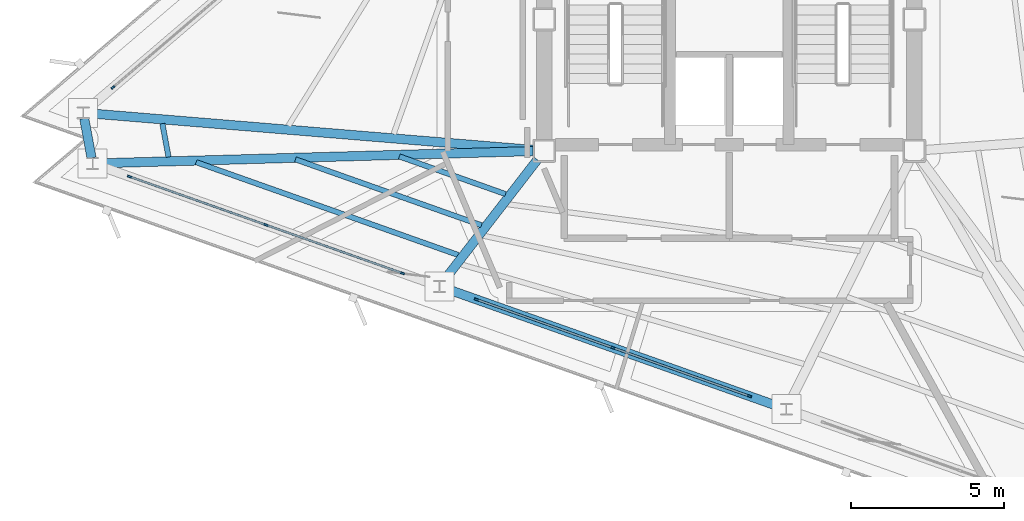
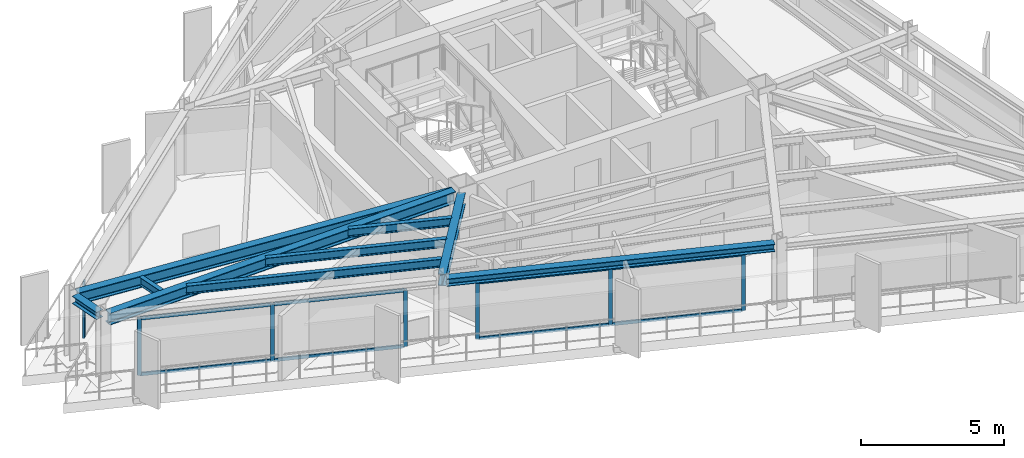
# One storey, part 2 of 14: 15 members, 9 beams, 3 elements without a shape of their own.
"""IFC4 building model written with IfcOpenShell, lengths in metres."""

from ifc_helpers import new_model, si_unit, direction, frame, origin, origin_2d, place, context, subcontext, project, spatial, rectangle, i_section, extrude, material, layer, layer_set, material_profile, profile_set, type_object, element, aggregate, save


model = new_model("IFC4")

# Units and contexts
model_context = context("Model", 3, precision=1e-05, world=origin(), true_north=direction((0.0, 1.0)))
body_context = subcontext(model_context, "Body", "Model", "MODEL_VIEW")
ifc_project = project(units=[si_unit("LENGTHUNIT", "METRE"), si_unit("AREAUNIT", "SQUARE_METRE"), si_unit("VOLUMEUNIT", "CUBIC_METRE"), si_unit("PLANEANGLEUNIT", "RADIAN"), si_unit("MASSUNIT", "GRAM", prefix="KILO")], contexts=[model_context])

# Site, building, storey
site_placement = place(None, origin())
site = spatial("IfcSite", under=ifc_project, at=site_placement, CompositionType="ELEMENT")
building_placement = place(site_placement, origin())
building = spatial("IfcBuilding", under=site, at=building_placement, Name="Rocaltana Carrier Exchange", CompositionType="ELEMENT")
storey_placement = place(building_placement, frame((0.0, 0.0, 175.360107421875)))
storey = spatial("IfcBuildingStorey", under=building, at=storey_placement, Name="L55", CompositionType="ELEMENT", Elevation=175.360107421875)

# Curtain wall, member
ifc_material_1 = material(Name="Aluminium 6063-T6", Category="aluminium")
ifc_layer = layer(ifc_material_1, 0.135009765625)
ifc_layer_set = layer_set([ifc_layer], Name="Aluminium 6063-T6")
curtain_wall_type = type_object("IfcCurtainWallType", Name="Upper-Mid Acoustic Curtain Wall CW-04", PredefinedType="NOTDEFINED", material=ifc_layer_set)
curtain_wall_1_placement = place(storey_placement, origin())
curtain_wall_1 = element("IfcCurtainWall", 1, at=curtain_wall_1_placement, inside=storey, type_object=curtain_wall_type, Name="L55 CW-04 Run CW-L55-F2S3", PredefinedType="NOTDEFINED")
ifc_material_2 = material(Name="Aluminium 6063-T6", Category="aluminium")
ifc_material_profile_1 = material_profile(ifc_material_2, rectangle(XDim=0.06494140625, YDim=0.135009765625, at=origin_2d()), Name="AL-65X135")
ifc_profile_set_1 = profile_set([ifc_material_profile_1], Name="Aluminium 6063-T6")
member_type_1 = type_object("IfcMemberType", Name="CW-04 Mullion AL-65X135", PredefinedType="MULLION", material=ifc_profile_set_1)
member_1_placement = place(storey_placement, frame((-20.14990234375, -2.2255859375, 0.0), z_axis=(0.0, 0.0, 1.0), x_axis=(0.649447944918, -0.760406053922, 0.0)))
member_1 = element("IfcMember", 2, at=member_1_placement, type_object=member_type_1, Name="CW-04 mullion 3", PredefinedType="MULLION", context=body_context, shape_type="SweptSolid", body=[
    extrude(rectangle(XDim=0.06494140625, YDim=0.135009765625, at=origin_2d()), origin(), (0.0, 0.0, 1.0), 2.447998046875),
])
aggregate(curtain_wall_1, [member_1])

# Curtain wall, members
curtain_wall_2_placement = place(storey_placement, origin())
curtain_wall_2 = element("IfcCurtainWall", 3, at=curtain_wall_2_placement, inside=storey, type_object=curtain_wall_type, Name="L55 CW-04 Run CW-L55-F3S1", PredefinedType="NOTDEFINED")
member_2_placement = place(storey_placement, frame((-19.609130859375, -5.143310546875, 0.0), z_axis=(0.0, 0.0, 1.0), x_axis=(0.333795491383, 0.942645516582, 0.0)))
member_2 = element("IfcMember", 4, at=member_2_placement, type_object=member_type_1, Name="CW-04 mullion 1", PredefinedType="MULLION", context=body_context, shape_type="SweptSolid", body=[
    extrude(rectangle(XDim=0.06494140625, YDim=0.135009765625, at=origin_2d()), origin(), (0.0, 0.0, 1.0), 2.447998046875),
])
member_3_placement = place(storey_placement, frame((-15.146484375, -6.7236328125, 0.0), z_axis=(0.0, 0.0, 1.0), x_axis=(0.333795491383, 0.942645516582, 0.0)))
member_3 = element("IfcMember", 5, at=member_3_placement, type_object=member_type_1, Name="CW-04 mullion 2", PredefinedType="MULLION", context=body_context, shape_type="SweptSolid", body=[
    extrude(rectangle(XDim=0.06494140625, YDim=0.135009765625, at=origin_2d()), origin(), (0.0, 0.0, 1.0), 2.447998046875),
])
member_4_placement = place(storey_placement, frame((-10.683837890625, -8.303955078125, 0.0), z_axis=(0.0, 0.0, 1.0), x_axis=(0.333795491383, 0.942645516582, 0.0)))
member_4 = element("IfcMember", 6, at=member_4_placement, type_object=member_type_1, Name="CW-04 mullion 3", PredefinedType="MULLION", context=body_context, shape_type="SweptSolid", body=[
    extrude(rectangle(XDim=0.06494140625, YDim=0.135009765625, at=origin_2d()), origin(), (0.0, 0.0, 1.0), 2.447998046875),
])

curtain_wall_3_placement = place(storey_placement, origin())
curtain_wall_3 = element("IfcCurtainWall", 7, at=curtain_wall_3_placement, inside=storey, type_object=curtain_wall_type, Name="L55 CW-04 Run CW-L55-F3S2", PredefinedType="NOTDEFINED")
member_5_placement = place(storey_placement, frame((-8.265869140625, -9.16015625, 0.0), z_axis=(0.0, 0.0, 1.0), x_axis=(0.333798791936, 0.942644347833, 0.0)))
member_5 = element("IfcMember", 8, at=member_5_placement, type_object=member_type_1, Name="CW-04 mullion 1", PredefinedType="MULLION", context=body_context, shape_type="SweptSolid", body=[
    extrude(rectangle(XDim=0.06494140625, YDim=0.135009765625, at=origin_2d()), origin(), (0.0, 0.0, 1.0), 2.447998046875),
])
member_6_placement = place(storey_placement, frame((-3.803466796875, -10.740478515625, 0.0), z_axis=(0.0, 0.0, 1.0), x_axis=(0.333798791936, 0.942644347833, 0.0)))
member_6 = element("IfcMember", 9, at=member_6_placement, type_object=member_type_1, Name="CW-04 mullion 2", PredefinedType="MULLION", context=body_context, shape_type="SweptSolid", body=[
    extrude(rectangle(XDim=0.06494140625, YDim=0.135009765625, at=origin_2d()), origin(), (0.0, 0.0, 1.0), 2.447998046875),
])
member_7_placement = place(storey_placement, frame((0.6591796875, -12.320556640625, 0.0), z_axis=(0.0, 0.0, 1.0), x_axis=(0.333798791936, 0.942644347833, 0.0)))
member_7 = element("IfcMember", 10, at=member_7_placement, type_object=member_type_1, Name="CW-04 mullion 3", PredefinedType="MULLION", context=body_context, shape_type="SweptSolid", body=[
    extrude(rectangle(XDim=0.06494140625, YDim=0.135009765625, at=origin_2d()), origin(), (0.0, 0.0, 1.0), 2.447998046875),
])

# Member
ifc_material_3 = material(Name="Aluminium 6063-T6", Category="aluminium")
ifc_material_profile_2 = material_profile(ifc_material_3, rectangle(XDim=0.06494140625, YDim=0.135009765625, at=origin_2d()), Name="AL-65X135")
ifc_profile_set_2 = profile_set([ifc_material_profile_2], Name="Aluminium 6063-T6")
member_type_2 = type_object("IfcMemberType", Name="CW-04 Transom AL-65X135", PredefinedType="USERDEFINED", material=ifc_profile_set_2)
member_8_placement = place(storey_placement, frame((-19.57861328125, -5.154296875, 0.032470703125), z_axis=(0.942658759466, -0.333758090841, 0.0), x_axis=(0.333758090841, 0.942658759466, 0.0)))
member_8 = element("IfcMember", 11, at=member_8_placement, type_object=member_type_2, Name="CW-04 transom 1.1", ObjectType="TRANSOM", PredefinedType="USERDEFINED", context=body_context, shape_type="SweptSolid", body=[
    extrude(rectangle(XDim=0.06494140625, YDim=0.135009765625, at=origin_2d()), origin(), (0.0, 0.0, 1.0), 4.669189453125),
])

member_9_placement = place(storey_placement, frame((-19.57861328125, -5.154296875, 2.415283203125), z_axis=(0.942658759466, -0.333758090841, 0.0), x_axis=(0.333758090841, 0.942658759466, 0.0)))
member_9 = element("IfcMember", 12, at=member_9_placement, type_object=member_type_2, Name="CW-04 transom 1.2", ObjectType="TRANSOM", PredefinedType="USERDEFINED", context=body_context, shape_type="SweptSolid", body=[
    extrude(rectangle(XDim=0.06494140625, YDim=0.135009765625, at=origin_2d()), origin(), (0.0, 0.0, 1.0), 4.669189453125),
])

member_10_placement = place(storey_placement, frame((-15.115966796875, -6.734375, 0.032470703125), z_axis=(0.942648133321, -0.333788101565, 0.0), x_axis=(0.333788101565, 0.942648133321, 0.0)))
member_10 = element("IfcMember", 13, at=member_10_placement, type_object=member_type_2, Name="CW-04 transom 2.1", ObjectType="TRANSOM", PredefinedType="USERDEFINED", context=body_context, shape_type="SweptSolid", body=[
    extrude(rectangle(XDim=0.06494140625, YDim=0.135009765625, at=origin_2d()), origin(), (0.0, 0.0, 1.0), 4.66943359375),
])

member_11_placement = place(storey_placement, frame((-15.115966796875, -6.734375, 2.415283203125), z_axis=(0.942648133321, -0.333788101565, 0.0), x_axis=(0.333788101565, 0.942648133321, 0.0)))
member_11 = element("IfcMember", 14, at=member_11_placement, type_object=member_type_2, Name="CW-04 transom 2.2", ObjectType="TRANSOM", PredefinedType="USERDEFINED", context=body_context, shape_type="SweptSolid", body=[
    extrude(rectangle(XDim=0.06494140625, YDim=0.135009765625, at=origin_2d()), origin(), (0.0, 0.0, 1.0), 4.66943359375),
])

aggregate(curtain_wall_2, [member_2, member_3, member_4, member_8, member_9, member_10, member_11])

member_12_placement = place(storey_placement, frame((-8.2353515625, -9.1708984375, 0.032470703125), z_axis=(0.942642307572, -0.333804553558, 0.0), x_axis=(0.333804553558, 0.942642307572, 0.0)))
member_12 = element("IfcMember", 15, at=member_12_placement, type_object=member_type_2, Name="CW-04 transom 1.1", ObjectType="TRANSOM", PredefinedType="USERDEFINED", context=body_context, shape_type="SweptSolid", body=[
    extrude(rectangle(XDim=0.06494140625, YDim=0.135009765625, at=origin_2d()), origin(), (0.0, 0.0, 1.0), 4.669189453125),
])

member_13_placement = place(storey_placement, frame((-8.2353515625, -9.1708984375, 2.415283203125), z_axis=(0.942642307572, -0.333804553558, 0.0), x_axis=(0.333804553558, 0.942642307572, 0.0)))
member_13 = element("IfcMember", 16, at=member_13_placement, type_object=member_type_2, Name="CW-04 transom 1.2", ObjectType="TRANSOM", PredefinedType="USERDEFINED", context=body_context, shape_type="SweptSolid", body=[
    extrude(rectangle(XDim=0.06494140625, YDim=0.135009765625, at=origin_2d()), origin(), (0.0, 0.0, 1.0), 4.669189453125),
])

member_14_placement = place(storey_placement, frame((-3.772705078125, -10.751220703125, 0.032470703125), z_axis=(0.942642307572, -0.333804553558, 0.0), x_axis=(0.333804553558, 0.942642307572, 0.0)))
member_14 = element("IfcMember", 17, at=member_14_placement, type_object=member_type_2, Name="CW-04 transom 2.1", ObjectType="TRANSOM", PredefinedType="USERDEFINED", context=body_context, shape_type="SweptSolid", body=[
    extrude(rectangle(XDim=0.06494140625, YDim=0.135009765625, at=origin_2d()), origin(), (0.0, 0.0, 1.0), 4.669189453125),
])

member_15_placement = place(storey_placement, frame((-3.772705078125, -10.751220703125, 2.415283203125), z_axis=(0.942642307572, -0.333804553558, 0.0), x_axis=(0.333804553558, 0.942642307572, 0.0)))
member_15 = element("IfcMember", 18, at=member_15_placement, type_object=member_type_2, Name="CW-04 transom 2.2", ObjectType="TRANSOM", PredefinedType="USERDEFINED", context=body_context, shape_type="SweptSolid", body=[
    extrude(rectangle(XDim=0.06494140625, YDim=0.135009765625, at=origin_2d()), origin(), (0.0, 0.0, 1.0), 4.669189453125),
])

aggregate(curtain_wall_3, [member_5, member_6, member_7, member_12, member_13, member_14, member_15])

# Beams
ifc_material_4 = material(Name="Steel S355", Category="steel")
ifc_material_profile_3 = material_profile(ifc_material_4, i_section(OverallWidth=0.172119140625, OverallDepth=0.35791015625, WebThickness=0.0078125, FlangeThickness=0.01318359375, FilletRadius=0.011962890625, at=origin_2d()), Name="W14X38")
ifc_profile_set_3 = profile_set([ifc_material_profile_3], Name="Steel S355")
beam_type_1 = type_object("IfcBeamType", Name="Floor Joist W14X38", PredefinedType="JOIST", material=ifc_profile_set_3)
beam_1_placement = place(storey_placement, frame((-18.5361328125, -3.4111328125, 2.618896484375), z_axis=(0.182270341783, -0.983248454108, 0.0), x_axis=(0.983248454108, 0.182270341783, 0.0)))
element("IfcBeam", 19, at=beam_1_placement, inside=storey, type_object=beam_type_1, Name="FJ-L55-08-3", PredefinedType="JOIST", context=body_context, shape_type="SweptSolid", body=[
    extrude(i_section(OverallWidth=0.172119140625, OverallDepth=0.35791015625, WebThickness=0.0078125, FlangeThickness=0.01318359375, FilletRadius=0.011962890625, at=origin_2d()), origin(), (0.0, 0.0, 1.0), 1.1103515625),
])
beam_2_placement = place(storey_placement, frame((-10.78759765625, -4.485107421875, 2.618896484375), z_axis=(0.94263244024, -0.333832416951, 0.0), x_axis=(0.333832416951, 0.94263244024, 0.0)))
element("IfcBeam", 20, at=beam_2_placement, inside=storey, type_object=beam_type_1, Name="FJ-L55-09-1", PredefinedType="JOIST", context=body_context, shape_type="SweptSolid", body=[
    extrude(i_section(OverallWidth=0.172119140625, OverallDepth=0.35791015625, WebThickness=0.0078125, FlangeThickness=0.01318359375, FilletRadius=0.011962890625, at=origin_2d()), origin(), (0.0, 0.0, 1.0), 3.682861328125),
])
beam_3_placement = place(storey_placement, frame((-14.184326171875, -4.58056640625, 2.618896484375), z_axis=(0.942637646352, -0.333817716246, 0.0), x_axis=(0.333817716246, 0.942637646352, 0.0)))
element("IfcBeam", 21, at=beam_3_placement, inside=storey, type_object=beam_type_1, Name="FJ-L55-09-2", PredefinedType="JOIST", context=body_context, shape_type="SweptSolid", body=[
    extrude(i_section(OverallWidth=0.172119140625, OverallDepth=0.35791015625, WebThickness=0.0078125, FlangeThickness=0.01318359375, FilletRadius=0.011962890625, at=origin_2d()), origin(), (0.0, 0.0, 1.0), 6.45068359375),
])
beam_4_placement = place(storey_placement, frame((-17.433349609375, -4.671875, 2.618896484375), z_axis=(0.942637076776, -0.333819324616, 0.0), x_axis=(0.333819324616, 0.942637076776, 0.0)))
element("IfcBeam", 22, at=beam_4_placement, inside=storey, type_object=beam_type_1, Name="FJ-L55-09-3", PredefinedType="JOIST", context=body_context, shape_type="SweptSolid", body=[
    extrude(i_section(OverallWidth=0.172119140625, OverallDepth=0.35791015625, WebThickness=0.0078125, FlangeThickness=0.01318359375, FilletRadius=0.011962890625, at=origin_2d()), origin(), (0.0, 0.0, 1.0), 9.09814453125),
])
ifc_material_5 = material(Name="Steel S355", Category="steel")
ifc_material_profile_4 = material_profile(ifc_material_5, i_section(OverallWidth=0.300048828125, OverallDepth=0.320068359375, WebThickness=0.011474609375, FlangeThickness=0.0205078125, FilletRadius=0.027099609375, at=origin_2d()), Name="HEB320")
ifc_profile_set_4 = profile_set([ifc_material_profile_4], Name="Steel S355")
beam_type_2 = type_object("IfcBeamType", Name="Spandrel Edge Beam HEB320", PredefinedType="SPANDREL", material=ifc_profile_set_4)
beam_5_placement = place(storey_placement, frame((-21.09130859375, -3.240966796875, 2.637939453125), z_axis=(0.182302199859, -0.983242547862, 0.0), x_axis=(0.983242547862, 0.182302199859, 0.0)))
element("IfcBeam", 23, at=beam_5_placement, inside=storey, type_object=beam_type_2, Name="SP-L55-08", PredefinedType="SPANDREL", context=body_context, shape_type="SweptSolid", body=[
    extrude(i_section(OverallWidth=0.300048828125, OverallDepth=0.320068359375, WebThickness=0.011474609375, FlangeThickness=0.0205078125, FilletRadius=0.027099609375, at=origin_2d()), origin(), (0.0, 0.0, 1.0), 1.313720703125),
])
beam_6_placement = place(storey_placement, frame((-9.300048828125, -8.7939453125, 2.637939453125), z_axis=(0.942638890489, -0.333814203019, 0.0), x_axis=(0.333814203019, 0.942638890489, 0.0)))
element("IfcBeam", 24, at=beam_6_placement, inside=storey, type_object=beam_type_2, Name="SP-L55-10", PredefinedType="SPANDREL", context=body_context, shape_type="SweptSolid", body=[
    extrude(i_section(OverallWidth=0.300048828125, OverallDepth=0.320068359375, WebThickness=0.011474609375, FlangeThickness=0.0205078125, FilletRadius=0.027099609375, at=origin_2d()), origin(), (0.0, 0.0, 1.0), 11.662353515625),
])
ifc_material_6 = material(Name="Steel S355", Category="steel")
ifc_material_profile_5 = material_profile(ifc_material_6, i_section(OverallWidth=0.300048828125, OverallDepth=0.5, WebThickness=0.014404296875, FlangeThickness=0.028076171875, FilletRadius=0.027099609375, at=origin_2d()), Name="HEB500")
ifc_profile_set_5 = profile_set([ifc_material_profile_5], Name="Steel S355")
beam_type_3 = type_object("IfcBeamType", Name="Upper Radial Girder HEB500", PredefinedType="BEAM", material=ifc_profile_set_5)
beam_7_placement = place(storey_placement, frame((-6.415771484375, -4.27001953125, 2.5478515625), z_axis=(-0.99662524514, 0.082086056969, 0.0), x_axis=(-0.082086056969, -0.99662524514, 0.0)))
element("IfcBeam", 25, at=beam_7_placement, inside=storey, type_object=beam_type_3, Name="RG-L55-08", PredefinedType="BEAM", context=body_context, shape_type="SweptSolid", body=[
    extrude(i_section(OverallWidth=0.300048828125, OverallDepth=0.5, WebThickness=0.014404296875, FlangeThickness=0.028076171875, FilletRadius=0.027099609375, at=origin_2d()), origin(), (0.0, 0.0, 1.0), 14.573486328125),
])
beam_8_placement = place(storey_placement, frame((-6.4169921875, -4.310302734375, 2.5478515625), z_axis=(-0.999605046226, -0.028102518731, 0.0), x_axis=(0.028102518731, -0.999605046226, 0.0)))
element("IfcBeam", 26, at=beam_8_placement, inside=storey, type_object=beam_type_3, Name="RG-L55-09", PredefinedType="BEAM", context=body_context, shape_type="SweptSolid", body=[
    extrude(i_section(OverallWidth=0.300048828125, OverallDepth=0.5, WebThickness=0.014404296875, FlangeThickness=0.028076171875, FilletRadius=0.027099609375, at=origin_2d()), origin(), (0.0, 0.0, 1.0), 14.221435546875),
])
beam_9_placement = place(storey_placement, frame((-6.2744140625, -4.59033203125, 2.5478515625), z_axis=(-0.611473649779, -0.791264794886, 0.0), x_axis=(0.791264794886, -0.611473649779, 0.0)))
element("IfcBeam", 27, at=beam_9_placement, inside=storey, type_object=beam_type_3, Name="RG-L55-10", PredefinedType="BEAM", context=body_context, shape_type="SweptSolid", body=[
    extrude(i_section(OverallWidth=0.300048828125, OverallDepth=0.5, WebThickness=0.014404296875, FlangeThickness=0.028076171875, FilletRadius=0.027099609375, at=origin_2d()), origin(), (0.0, 0.0, 1.0), 5.048828125),
])

save(model, "model.ifc")
